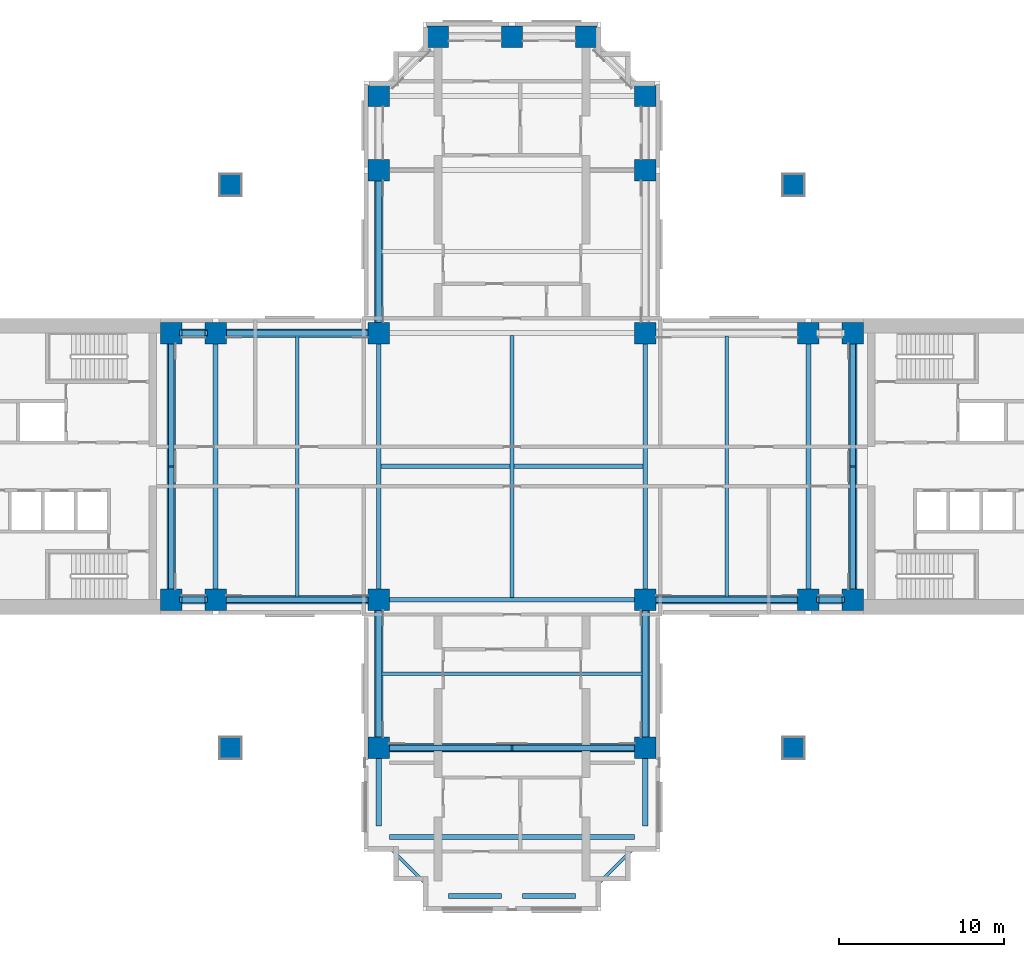
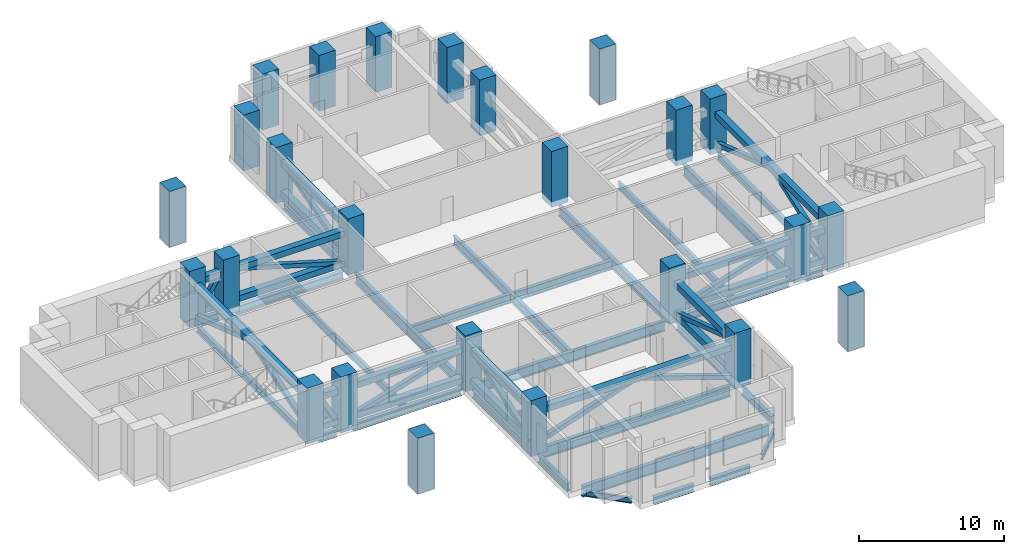
# One storey, part 1 of 10: 36 members, 30 beams, 25 columns.
"""IFC4 building model written with IfcOpenShell, lengths in metres."""

from ifc_helpers import new_model, si_unit, direction, frame, origin, origin_2d, place, context, subcontext, project, spatial, rectangle, hollow_rectangle, i_section, extrude, material, material_profile, profile_set, type_object, element, save


model = new_model("IFC4")

# Units and contexts
model_context = context("Model", 3, precision=1e-05, world=origin(), true_north=direction((0.0, 1.0)))
body_context = subcontext(model_context, "Body", "Model", "MODEL_VIEW")
ifc_project = project(units=[si_unit("LENGTHUNIT", "METRE"), si_unit("AREAUNIT", "SQUARE_METRE"), si_unit("VOLUMEUNIT", "CUBIC_METRE"), si_unit("PLANEANGLEUNIT", "RADIAN"), si_unit("MASSUNIT", "GRAM", prefix="KILO")], contexts=[model_context])

# Site, building, storey
site_placement = place(None, origin())
site = spatial("IfcSite", under=ifc_project, at=site_placement, CompositionType="ELEMENT")
building_placement = place(site_placement, origin())
building = spatial("IfcBuilding", under=site, at=building_placement, Name="Perihelion Cross Residences", CompositionType="ELEMENT")
storey_placement = place(building_placement, frame((0.0, 0.0, 97.89990234375)))
storey = spatial("IfcBuildingStorey", under=building, at=storey_placement, Name="L22", CompositionType="ELEMENT", Elevation=97.89990234375)

# Columns
ifc_material_1 = material(Name="Concrete C70/85", Category="concrete")
ifc_material_profile_1 = material_profile(ifc_material_1, rectangle(XDim=1.300048828125, YDim=1.300048828125, at=origin_2d()), Name="RC 1300x1300")
ifc_profile_set_1 = profile_set([ifc_material_profile_1], Name="Concrete C70/85")
column_type = type_object("IfcColumnType", Name="Reinforced concrete column 1300x1300 C70/85", PredefinedType="COLUMN", material=ifc_profile_set_1)
for number, where, z_axis, x_axis, name in (
    (1, (-20.699951171875, -8.10009765625, -0.449951171875), (0.0, 0.0, 1.0), (1.0, 0.0, 0.0), "Column C017 L22 no. 1"),
    (2, (-20.699951171875, 8.10009765625, -0.449951171875), (0.0, 0.0, 1.0), (1.0, 0.0, 0.0), "Column C010 L22 no. 1"),
    (3, (-18.0, -8.10009765625, -0.449951171875), (0.0, 0.0, 1.0), (1.0, 0.0, 0.0), "Column C018 L22 no. 1"),
    (4, (-18.0, 8.10009765625, -0.449951171875), (0.0, 0.0, 1.0), (1.0, 0.0, 0.0), "Column C011 L22 no. 1"),
    (5, (-8.10009765625, -17.10009765625, -0.449951171875), (0.0, 0.0, 1.0), (1.0, 0.0, 0.0), "Column C031 L22 no. 1"),
    (6, (-8.10009765625, -8.10009765625, -0.449951171875), (0.0, 0.0, 1.0), (1.0, 0.0, 0.0), "Column C019 L22 no. 1"),
    (7, (-8.10009765625, 8.10009765625, -0.449951171875), (0.0, 0.0, 1.0), (1.0, 0.0, 0.0), "Column C012 L22 no. 1"),
    (8, (-8.10009765625, 18.0, -0.449951171875), (0.0, 0.0, 1.0), (1.0, 0.0, 0.0), "Column C006 L22 no. 1"),
    (9, (-8.10009765625, 22.5, -0.449951171875), (0.0, 0.0, 1.0), (1.0, 0.0, 0.0), "Column C004 L22 no. 1"),
    (10, (-4.5, 26.10009765625, -0.449951171875), (0.0, 0.0, 1.0), (1.0, 0.0, 0.0), "Column C001 L22 no. 1"),
    (11, (0.0, 26.10009765625, -0.449951171875), (0.0, 0.0, 1.0), (1.0, 0.0, 0.0), "Column C002 L22 no. 1"),
    (12, (4.5, 26.10009765625, -0.449951171875), (0.0, 0.0, 1.0), (1.0, 0.0, 0.0), "Column C003 L22 no. 1"),
    (13, (8.10009765625, -17.10009765625, -0.449951171875), (0.0, 0.0, 1.0), (1.0, 0.0, 0.0), "Column C035 L22 no. 1"),
    (14, (8.10009765625, -8.10009765625, -0.449951171875), (0.0, 0.0, 1.0), (1.0, 0.0, 0.0), "Column C020 L22 no. 1"),
    (15, (8.10009765625, 8.10009765625, -0.449951171875), (0.0, 0.0, 1.0), (1.0, 0.0, 0.0), "Column C014 L22 no. 1"),
    (16, (8.10009765625, 18.0, -0.449951171875), (0.0, 0.0, 1.0), (1.0, 0.0, 0.0), "Column C007 L22 no. 1"),
    (17, (8.10009765625, 22.5, -0.449951171875), (0.0, 0.0, 1.0), (1.0, 0.0, 0.0), "Column C005 L22 no. 1"),
    (18, (18.0, -8.10009765625, -0.449951171875), (0.0, 0.0, 1.0), (1.0, 0.0, 0.0), "Column C021 L22 no. 1"),
    (19, (18.0, 8.10009765625, -0.449951171875), (0.0, 0.0, 1.0), (1.0, 0.0, 0.0), "Column C015 L22 no. 1"),
    (20, (20.699951171875, -8.10009765625, -0.449951171875), (0.0, 0.0, 1.0), (1.0, 0.0, 0.0), "Column C022 L22 no. 1"),
    (21, (20.699951171875, 8.10009765625, -0.449951171875), (0.0, 0.0, 1.0), (1.0, 0.0, 0.0), "Column C016 L22 no. 1"),
    (22, (17.10009765625, 17.10009765625, -0.449951171875), (0.0, 0.0, 1.0), (1.0, 0.0, 0.0), "Column C009 L22 no. 1"),
    (23, (-17.10009765625, 17.10009765625, -0.449951171875), (0.0, 0.0, 1.0), (1.0, 0.0, 0.0), "Column C008 L22 no. 1"),
    (24, (-17.10009765625, -17.10009765625, -0.449951171875), (0.0, 0.0, 1.0), (1.0, 0.0, 0.0), "Column C030 L22 no. 1"),
    (25, (17.10009765625, -17.10009765625, -0.449951171875), (0.0, 0.0, 1.0), (1.0, 0.0, 0.0), "Column C036 L22 no. 1"),
):
    element("IfcColumn", number, at=place(storey_placement, frame(where, z_axis=z_axis, x_axis=x_axis)), inside=storey, type_object=column_type, Name=name, PredefinedType="COLUMN", context=body_context, shape_type="SweptSolid", body=[
        extrude(rectangle(XDim=1.300048828125, YDim=1.300048828125, at=origin_2d()), origin(), (0.0, 0.0, 1.0), 4.699951171875),
    ])

# Members
ifc_material_2 = material(Name="Steel S355", Category="steel")
ifc_material_profile_2 = material_profile(ifc_material_2, hollow_rectangle(XDim=0.508056640625, YDim=0.508056640625, WallThickness=0.022216796875, at=origin_2d()), Name="HSS508x508x22.2")
ifc_profile_set_2 = profile_set([ifc_material_profile_2], Name="Steel S355")
member_type_1 = type_object("IfcMemberType", Name="Belt truss chord HSS508x508x22.2", PredefinedType="CHORD", material=ifc_profile_set_2)
for number, where, z_axis, x_axis, name in (
    (26, (-8.10009765625, 17.35009765625, 2.796142578125), (0.0, -1.0, 0.0), (1.0, 0.0, 0.0), "Belt truss BT1 L22 top no. 8"),
    (27, (-8.10009765625, 17.35009765625, 0.254150390625), (0.0, -1.0, 0.0), (1.0, 0.0, 0.0), "Belt truss BT1 L22 bottom no. 6"),
    (28, (-8.75, 8.10009765625, 2.796142578125), (-1.0, 0.0, 0.0), (0.0, -1.0, 0.0), "Belt truss BT1 L22 top no. 10"),
    (29, (-8.75, 8.10009765625, 0.254150390625), (-1.0, 0.0, 0.0), (0.0, -1.0, 0.0), "Belt truss BT1 L22 bottom no. 8"),
):
    element("IfcMember", number, at=place(storey_placement, frame(where, z_axis=z_axis, x_axis=x_axis)), inside=storey, type_object=member_type_1, Name=name, PredefinedType="CHORD", context=body_context, shape_type="SweptSolid", body=[
        extrude(hollow_rectangle(XDim=0.508056640625, YDim=0.508056640625, WallThickness=0.022216796875, at=origin_2d()), origin(), (0.0, 0.0, 1.0), 8.60009765625),
    ])
for number, where, z_axis, x_axis, name in (
    (30, (-18.64990234375, 8.10009765625, 2.796142578125), (-1.0, 0.0, 0.0), (0.0, -1.0, 0.0), "Belt truss BT1 L22 top no. 2"),
    (31, (-18.64990234375, 8.10009765625, 0.254150390625), (-1.0, 0.0, 0.0), (0.0, -1.0, 0.0), "Belt truss BT1 L22 bottom no. 2"),
):
    element("IfcMember", number, at=place(storey_placement, frame(where, z_axis=z_axis, x_axis=x_axis)), inside=storey, type_object=member_type_1, Name=name, PredefinedType="CHORD", context=body_context, shape_type="SweptSolid", body=[
        extrude(hollow_rectangle(XDim=0.508056640625, YDim=0.508056640625, WallThickness=0.022216796875, at=origin_2d()), origin(), (0.0, 0.0, 1.0), 1.400146484375),
    ])
member_1_placement = place(storey_placement, frame((-20.699951171875, 7.449951171875, 2.796142578125), z_axis=(0.0, -1.0, 0.0), x_axis=(1.0, 0.0, 0.0)))
element("IfcMember", 32, at=member_1_placement, inside=storey, type_object=member_type_1, Name="Belt truss BT1 L22 top no. 4", PredefinedType="CHORD", context=body_context, shape_type="SweptSolid", body=[
    extrude(hollow_rectangle(XDim=0.508056640625, YDim=0.508056640625, WallThickness=0.022216796875, at=origin_2d()), origin(), (0.0, 0.0, 1.0), 14.89990234375),
])
for number, where, z_axis, x_axis, name in (
    (33, (-20.050048828125, -8.10009765625, 2.796142578125), (1.0, 0.0, 0.0), (0.0, 1.0, 0.0), "Belt truss BT1 L22 top no. 3"),
    (34, (-20.050048828125, -8.10009765625, 0.254150390625), (1.0, 0.0, 0.0), (0.0, 1.0, 0.0), "Belt truss BT1 L22 bottom no. 3"),
):
    element("IfcMember", number, at=place(storey_placement, frame(where, z_axis=z_axis, x_axis=x_axis)), inside=storey, type_object=member_type_1, Name=name, PredefinedType="CHORD", context=body_context, shape_type="SweptSolid", body=[
        extrude(hollow_rectangle(XDim=0.508056640625, YDim=0.508056640625, WallThickness=0.022216796875, at=origin_2d()), origin(), (0.0, 0.0, 1.0), 1.400146484375),
    ])
for number, where, z_axis, x_axis, name in (
    (35, (-17.35009765625, -8.10009765625, 2.796142578125), (1.0, 0.0, 0.0), (0.0, 1.0, 0.0), "Belt truss BT1 L22 top no. 1"),
    (36, (-17.35009765625, -8.10009765625, 0.254150390625), (1.0, 0.0, 0.0), (0.0, 1.0, 0.0), "Belt truss BT1 L22 bottom no. 1"),
):
    element("IfcMember", number, at=place(storey_placement, frame(where, z_axis=z_axis, x_axis=x_axis)), inside=storey, type_object=member_type_1, Name=name, PredefinedType="CHORD", context=body_context, shape_type="SweptSolid", body=[
        extrude(hollow_rectangle(XDim=0.508056640625, YDim=0.508056640625, WallThickness=0.022216796875, at=origin_2d()), origin(), (0.0, 0.0, 1.0), 8.60009765625),
    ])
for number, where, z_axis, x_axis, name in (
    (37, (-8.10009765625, -8.75, 2.796142578125), (0.0, -1.0, 0.0), (1.0, 0.0, 0.0), "Belt truss BT1 L22 top no. 7"),
    (38, (-8.10009765625, -8.75, 0.254150390625), (0.0, -1.0, 0.0), (1.0, 0.0, 0.0), "Belt truss BT1 L22 bottom no. 5"),
):
    element("IfcMember", number, at=place(storey_placement, frame(where, z_axis=z_axis, x_axis=x_axis)), inside=storey, type_object=member_type_1, Name=name, PredefinedType="CHORD", context=body_context, shape_type="SweptSolid", body=[
        extrude(hollow_rectangle(XDim=0.508056640625, YDim=0.508056640625, WallThickness=0.022216796875, at=origin_2d()), origin(), (0.0, 0.0, 1.0), 7.699951171875),
    ])
member_2_placement = place(storey_placement, frame((-7.449951171875, -17.10009765625, 2.796142578125), z_axis=(1.0, 0.0, 0.0), x_axis=(0.0, 1.0, 0.0)))
element("IfcMember", 39, at=member_2_placement, inside=storey, type_object=member_type_1, Name="Belt truss BT1 L22 top no. 6", PredefinedType="CHORD", context=body_context, shape_type="SweptSolid", body=[
    extrude(hollow_rectangle(XDim=0.508056640625, YDim=0.508056640625, WallThickness=0.022216796875, at=origin_2d()), origin(), (0.0, 0.0, 1.0), 14.89990234375),
])
for number, where, z_axis, x_axis, name in (
    (40, (8.10009765625, -16.449951171875, 2.796142578125), (0.0, 1.0, 0.0), (-1.0, 0.0, 0.0), "Belt truss BT1 L22 top no. 17"),
    (41, (8.10009765625, -16.449951171875, 0.254150390625), (0.0, 1.0, 0.0), (-1.0, 0.0, 0.0), "Belt truss BT1 L22 bottom no. 14"),
):
    element("IfcMember", number, at=place(storey_placement, frame(where, z_axis=z_axis, x_axis=x_axis)), inside=storey, type_object=member_type_1, Name=name, PredefinedType="CHORD", context=body_context, shape_type="SweptSolid", body=[
        extrude(hollow_rectangle(XDim=0.508056640625, YDim=0.508056640625, WallThickness=0.022216796875, at=origin_2d()), origin(), (0.0, 0.0, 1.0), 7.699951171875),
    ])
for number, where, z_axis, x_axis, name in (
    (42, (8.75, -8.10009765625, 2.796142578125), (1.0, 0.0, 0.0), (0.0, 1.0, 0.0), "Belt truss BT1 L22 top no. 18"),
    (43, (8.75, -8.10009765625, 0.254150390625), (1.0, 0.0, 0.0), (0.0, 1.0, 0.0), "Belt truss BT1 L22 bottom no. 15"),
):
    element("IfcMember", number, at=place(storey_placement, frame(where, z_axis=z_axis, x_axis=x_axis)), inside=storey, type_object=member_type_1, Name=name, PredefinedType="CHORD", context=body_context, shape_type="SweptSolid", body=[
        extrude(hollow_rectangle(XDim=0.508056640625, YDim=0.508056640625, WallThickness=0.022216796875, at=origin_2d()), origin(), (0.0, 0.0, 1.0), 8.60009765625),
    ])
for number, where, z_axis, x_axis, name in (
    (44, (18.64990234375, -8.10009765625, 2.796142578125), (1.0, 0.0, 0.0), (0.0, 1.0, 0.0), "Belt truss BT1 L22 top no. 12"),
    (45, (18.64990234375, -8.10009765625, 0.254150390625), (1.0, 0.0, 0.0), (0.0, 1.0, 0.0), "Belt truss BT1 L22 bottom no. 10"),
):
    element("IfcMember", number, at=place(storey_placement, frame(where, z_axis=z_axis, x_axis=x_axis)), inside=storey, type_object=member_type_1, Name=name, PredefinedType="CHORD", context=body_context, shape_type="SweptSolid", body=[
        extrude(hollow_rectangle(XDim=0.508056640625, YDim=0.508056640625, WallThickness=0.022216796875, at=origin_2d()), origin(), (0.0, 0.0, 1.0), 1.400146484375),
    ])
member_3_placement = place(storey_placement, frame((20.699951171875, -7.449951171875, 2.796142578125), z_axis=(0.0, 1.0, 0.0), x_axis=(-1.0, 0.0, 0.0)))
element("IfcMember", 46, at=member_3_placement, inside=storey, type_object=member_type_1, Name="Belt truss BT1 L22 top no. 14", PredefinedType="CHORD", context=body_context, shape_type="SweptSolid", body=[
    extrude(hollow_rectangle(XDim=0.508056640625, YDim=0.508056640625, WallThickness=0.022216796875, at=origin_2d()), origin(), (0.0, 0.0, 1.0), 14.89990234375),
])
ifc_material_3 = material(Name="Steel S355", Category="steel")
ifc_material_profile_3 = material_profile(ifc_material_3, hollow_rectangle(XDim=0.35595703125, YDim=0.35595703125, WallThickness=0.015869140625, at=origin_2d()), Name="HSS355.6x355.6x15.9")
ifc_profile_set_3 = profile_set([ifc_material_profile_3], Name="Steel S355")
member_type_2 = type_object("IfcMemberType", Name="Belt truss diagonal HSS355.6x355.6x15.9", PredefinedType="BRACE", material=ifc_profile_set_3)
for number, where, z_axis, x_axis, name in (
    (47, (-8.10009765625, 8.75, 0.254150390625), (0.0, 0.958985757642, 0.283454258462), (-1.0, 0.0, 0.0), "Belt truss BT2 L22 diagonal no. 6"),
    (48, (-8.75, 8.10009765625, 0.254150390625), (-0.958985757642, 0.0, 0.283454258462), (0.0, -1.0, 0.0), "Belt truss BT2 L22 diagonal no. 8"),
):
    element("IfcMember", number, at=place(storey_placement, frame(where, z_axis=z_axis, x_axis=x_axis)), inside=storey, type_object=member_type_2, Name=name, PredefinedType="BRACE", context=body_context, shape_type="SweptSolid", body=[
        extrude(hollow_rectangle(XDim=0.35595703125, YDim=0.35595703125, WallThickness=0.015869140625, at=origin_2d()), origin(), (0.0, 0.0, 1.0), 8.968017578125),
    ])
member_4_placement = place(storey_placement, frame((-20.050048828125, 8.10009765625, 0.254150390625), z_axis=(0.482461195839, 0.0, 0.875917344565), x_axis=(0.0, 1.0, 0.0)))
element("IfcMember", 49, at=member_4_placement, inside=storey, type_object=member_type_2, Name="Belt truss BT2 L22 diagonal no. 2", PredefinedType="BRACE", context=body_context, shape_type="SweptSolid", body=[
    extrude(hollow_rectangle(XDim=0.35595703125, YDim=0.35595703125, WallThickness=0.015869140625, at=origin_2d()), origin(), (0.0, 0.0, 1.0), 2.902099609375),
])
for number, where, z_axis, x_axis, name in (
    (50, (-20.699951171875, 7.449951171875, 0.254150390625), (0.0, -0.946423395146, 0.32292840866), (1.0, 0.0, 0.0), "Belt truss BT2 L22 diagonal A no. 1"),
    (51, (-20.699951171875, -7.449951171875, 0.254150390625), (0.0, 0.946423395146, 0.32292840866), (-1.0, 0.0, 0.0), "Belt truss BT2 L22 diagonal B no. 1"),
):
    element("IfcMember", number, at=place(storey_placement, frame(where, z_axis=z_axis, x_axis=x_axis)), inside=storey, type_object=member_type_2, Name=name, PredefinedType="BRACE", context=body_context, shape_type="SweptSolid", body=[
        extrude(hollow_rectangle(XDim=0.35595703125, YDim=0.35595703125, WallThickness=0.015869140625, at=origin_2d()), origin(), (0.0, 0.0, 1.0), 7.87158203125),
    ])
member_5_placement = place(storey_placement, frame((-18.64990234375, -8.10009765625, 0.254150390625), z_axis=(-0.482461195839, 0.0, 0.875917344565), x_axis=(0.0, -1.0, 0.0)))
element("IfcMember", 52, at=member_5_placement, inside=storey, type_object=member_type_2, Name="Belt truss BT2 L22 diagonal no. 3", PredefinedType="BRACE", context=body_context, shape_type="SweptSolid", body=[
    extrude(hollow_rectangle(XDim=0.35595703125, YDim=0.35595703125, WallThickness=0.015869140625, at=origin_2d()), origin(), (0.0, 0.0, 1.0), 2.902099609375),
])
member_6_placement = place(storey_placement, frame((-17.35009765625, -8.10009765625, 0.254150390625), z_axis=(0.958985757642, 0.0, 0.283454258462), x_axis=(0.0, 1.0, 0.0)))
element("IfcMember", 53, at=member_6_placement, inside=storey, type_object=member_type_2, Name="Belt truss BT2 L22 diagonal no. 1", PredefinedType="BRACE", context=body_context, shape_type="SweptSolid", body=[
    extrude(hollow_rectangle(XDim=0.35595703125, YDim=0.35595703125, WallThickness=0.015869140625, at=origin_2d()), origin(), (0.0, 0.0, 1.0), 8.968017578125),
])
member_7_placement = place(storey_placement, frame((-8.10009765625, -16.449951171875, 0.254150390625), z_axis=(0.0, 0.949591637468, 0.313489588424), x_axis=(-1.0, 0.0, 0.0)))
element("IfcMember", 54, at=member_7_placement, inside=storey, type_object=member_type_2, Name="Belt truss BT2 L22 diagonal no. 5", PredefinedType="BRACE", context=body_context, shape_type="SweptSolid", body=[
    extrude(hollow_rectangle(XDim=0.35595703125, YDim=0.35595703125, WallThickness=0.015869140625, at=origin_2d()), origin(), (0.0, 0.0, 1.0), 8.108642578125),
])
for number, where, z_axis, x_axis, name in (
    (55, (-7.449951171875, -17.10009765625, 0.254150390625), (0.946423395146, 0.0, 0.32292840866), (0.0, 1.0, 0.0), "Belt truss BT2 L22 diagonal A no. 2"),
    (56, (7.449951171875, -17.10009765625, 0.254150390625), (-0.946423395146, 0.0, 0.32292840866), (0.0, -1.0, 0.0), "Belt truss BT2 L22 diagonal B no. 2"),
):
    element("IfcMember", number, at=place(storey_placement, frame(where, z_axis=z_axis, x_axis=x_axis)), inside=storey, type_object=member_type_2, Name=name, PredefinedType="BRACE", context=body_context, shape_type="SweptSolid", body=[
        extrude(hollow_rectangle(XDim=0.35595703125, YDim=0.35595703125, WallThickness=0.015869140625, at=origin_2d()), origin(), (0.0, 0.0, 1.0), 7.87158203125),
    ])
member_8_placement = place(storey_placement, frame((8.10009765625, -8.75, 0.254150390625), z_axis=(0.0, -0.949591637468, 0.313489588424), x_axis=(1.0, 0.0, 0.0)))
element("IfcMember", 57, at=member_8_placement, inside=storey, type_object=member_type_2, Name="Belt truss BT2 L22 diagonal no. 14", PredefinedType="BRACE", context=body_context, shape_type="SweptSolid", body=[
    extrude(hollow_rectangle(XDim=0.35595703125, YDim=0.35595703125, WallThickness=0.015869140625, at=origin_2d()), origin(), (0.0, 0.0, 1.0), 8.108642578125),
])
member_9_placement = place(storey_placement, frame((8.75, -8.10009765625, 0.254150390625), z_axis=(0.958985757642, 0.0, 0.283454258462), x_axis=(0.0, 1.0, 0.0)))
element("IfcMember", 58, at=member_9_placement, inside=storey, type_object=member_type_2, Name="Belt truss BT2 L22 diagonal no. 15", PredefinedType="BRACE", context=body_context, shape_type="SweptSolid", body=[
    extrude(hollow_rectangle(XDim=0.35595703125, YDim=0.35595703125, WallThickness=0.015869140625, at=origin_2d()), origin(), (0.0, 0.0, 1.0), 8.968017578125),
])
member_10_placement = place(storey_placement, frame((20.050048828125, -8.10009765625, 0.254150390625), z_axis=(-0.482461195839, 0.0, 0.875917344565), x_axis=(0.0, -1.0, 0.0)))
element("IfcMember", 59, at=member_10_placement, inside=storey, type_object=member_type_2, Name="Belt truss BT2 L22 diagonal no. 10", PredefinedType="BRACE", context=body_context, shape_type="SweptSolid", body=[
    extrude(hollow_rectangle(XDim=0.35595703125, YDim=0.35595703125, WallThickness=0.015869140625, at=origin_2d()), origin(), (0.0, 0.0, 1.0), 2.902099609375),
])
for number, where, z_axis, x_axis, name in (
    (60, (20.699951171875, -7.449951171875, 0.254150390625), (0.0, 0.946423395146, 0.32292840866), (-1.0, 0.0, 0.0), "Belt truss BT2 L22 diagonal A no. 3"),
    (61, (20.699951171875, 7.449951171875, 0.254150390625), (0.0, -0.946423395146, 0.32292840866), (1.0, 0.0, 0.0), "Belt truss BT2 L22 diagonal B no. 3"),
):
    element("IfcMember", number, at=place(storey_placement, frame(where, z_axis=z_axis, x_axis=x_axis)), inside=storey, type_object=member_type_2, Name=name, PredefinedType="BRACE", context=body_context, shape_type="SweptSolid", body=[
        extrude(hollow_rectangle(XDim=0.35595703125, YDim=0.35595703125, WallThickness=0.015869140625, at=origin_2d()), origin(), (0.0, 0.0, 1.0), 7.87158203125),
    ])

# Beams
ifc_material_4 = material(Name="Steel S355", Category="steel")
ifc_material_profile_4 = material_profile(ifc_material_4, i_section(OverallWidth=0.31201171875, OverallDepth=0.5439453125, WebThickness=0.0126953125, FlangeThickness=0.020263671875, at=origin_2d()), Name="W530x150")
ifc_profile_set_4 = profile_set([ifc_material_profile_4], Name="Steel S355")
beam_type_1 = type_object("IfcBeamType", Name="Core edge beam W530x150", PredefinedType="BEAM", material=ifc_profile_set_4)
for number, where, z_axis, x_axis, name in (
    (62, (20.699951171875, -7.449951171875, -0.721923828125), (0.0, 1.0, 0.0), (-1.0, 0.0, 0.0), "Core edge beam TB4 L22 no. 2"),
    (63, (-20.699951171875, -7.449951171875, -0.721923828125), (0.0, 1.0, 0.0), (-1.0, 0.0, 0.0), "Core edge beam TB4 L22 no. 1"),
):
    element("IfcBeam", number, at=place(storey_placement, frame(where, z_axis=z_axis, x_axis=x_axis)), inside=storey, type_object=beam_type_1, Name=name, PredefinedType="BEAM", context=body_context, shape_type="SweptSolid", body=[
        extrude(i_section(OverallWidth=0.31201171875, OverallDepth=0.5439453125, WebThickness=0.0126953125, FlangeThickness=0.020263671875, at=origin_2d()), origin(), (0.0, 0.0, 1.0), 14.89990234375),
    ])
ifc_material_5 = material(Name="Steel S355", Category="steel")
ifc_material_profile_5 = material_profile(ifc_material_5, i_section(OverallWidth=0.324951171875, OverallDepth=0.616943359375, WebThickness=0.013916015625, FlangeThickness=0.021484375, at=origin_2d()), Name="W610x174")
ifc_profile_set_5 = profile_set([ifc_material_profile_5], Name="Steel S355")
beam_type_2 = type_object("IfcBeamType", Name="Edge beam W610x174", PredefinedType="SPANDREL", material=ifc_profile_set_5)
for number, where, z_axis, x_axis, name in (
    (64, (-8.10009765625, 17.35009765625, -0.75830078125), (0.0, -1.0, 0.0), (1.0, 0.0, 0.0), "Edge beam SB2 L22 no. 7"),
    (65, (-8.75, 8.10009765625, -0.75830078125), (-1.0, 0.0, 0.0), (0.0, -1.0, 0.0), "Edge beam SB2 L22 no. 9"),
):
    element("IfcBeam", number, at=place(storey_placement, frame(where, z_axis=z_axis, x_axis=x_axis)), inside=storey, type_object=beam_type_2, Name=name, PredefinedType="SPANDREL", context=body_context, shape_type="SweptSolid", body=[
        extrude(i_section(OverallWidth=0.324951171875, OverallDepth=0.616943359375, WebThickness=0.013916015625, FlangeThickness=0.021484375, at=origin_2d()), origin(), (0.0, 0.0, 1.0), 8.60009765625),
    ])
for number, where, z_axis, x_axis, name in (
    (66, (-18.64990234375, 8.10009765625, -0.75830078125), (-1.0, 0.0, 0.0), (0.0, -1.0, 0.0), "Edge beam SB2 L22 no. 2"),
    (67, (-20.050048828125, -8.10009765625, -0.75830078125), (1.0, 0.0, 0.0), (0.0, 1.0, 0.0), "Edge beam SB2 L22 no. 3"),
):
    element("IfcBeam", number, at=place(storey_placement, frame(where, z_axis=z_axis, x_axis=x_axis)), inside=storey, type_object=beam_type_2, Name=name, PredefinedType="SPANDREL", context=body_context, shape_type="SweptSolid", body=[
        extrude(i_section(OverallWidth=0.324951171875, OverallDepth=0.616943359375, WebThickness=0.013916015625, FlangeThickness=0.021484375, at=origin_2d()), origin(), (0.0, 0.0, 1.0), 1.400146484375),
    ])
beam_1_placement = place(storey_placement, frame((-17.35009765625, -8.10009765625, -0.75830078125), z_axis=(1.0, 0.0, 0.0), x_axis=(0.0, 1.0, 0.0)))
element("IfcBeam", 68, at=beam_1_placement, inside=storey, type_object=beam_type_2, Name="Edge beam SB2 L22 no. 1", PredefinedType="SPANDREL", context=body_context, shape_type="SweptSolid", body=[
    extrude(i_section(OverallWidth=0.324951171875, OverallDepth=0.616943359375, WebThickness=0.013916015625, FlangeThickness=0.021484375, at=origin_2d()), origin(), (0.0, 0.0, 1.0), 8.60009765625),
])
beam_2_placement = place(storey_placement, frame((-8.10009765625, -8.75, -0.75830078125), z_axis=(0.0, -1.0, 0.0), x_axis=(1.0, 0.0, 0.0)))
element("IfcBeam", 69, at=beam_2_placement, inside=storey, type_object=beam_type_2, Name="Edge beam SB2 L22 no. 6", PredefinedType="SPANDREL", context=body_context, shape_type="SweptSolid", body=[
    extrude(i_section(OverallWidth=0.324951171875, OverallDepth=0.616943359375, WebThickness=0.013916015625, FlangeThickness=0.021484375, at=origin_2d()), origin(), (0.0, 0.0, 1.0), 7.699951171875),
])
beam_3_placement = place(storey_placement, frame((-8.10009765625, -17.75, -0.75830078125), z_axis=(0.0, -1.0, 0.0), x_axis=(1.0, 0.0, 0.0)))
element("IfcBeam", 70, at=beam_3_placement, inside=storey, type_object=beam_type_2, Name="Edge beam SB2 L22 no. 5", PredefinedType="SPANDREL", context=body_context, shape_type="SweptSolid", body=[
    extrude(i_section(OverallWidth=0.324951171875, OverallDepth=0.616943359375, WebThickness=0.013916015625, FlangeThickness=0.021484375, at=origin_2d()), origin(), (0.0, 0.0, 1.0), 4.10009765625),
])
for number, where, z_axis, x_axis, name in (
    (71, (-3.85009765625, -26.10009765625, -0.75830078125), (1.0, 0.0, 0.0), (0.0, 1.0, 0.0), "Edge beam SB2 L22 no. 4"),
    (72, (0.64990234375, -26.10009765625, -0.75830078125), (1.0, 0.0, 0.0), (0.0, 1.0, 0.0), "Edge beam SB2 L22 no. 10"),
):
    element("IfcBeam", number, at=place(storey_placement, frame(where, z_axis=z_axis, x_axis=x_axis)), inside=storey, type_object=beam_type_2, Name=name, PredefinedType="SPANDREL", context=body_context, shape_type="SweptSolid", body=[
        extrude(i_section(OverallWidth=0.324951171875, OverallDepth=0.616943359375, WebThickness=0.013916015625, FlangeThickness=0.021484375, at=origin_2d()), origin(), (0.0, 0.0, 1.0), 3.2001953125),
    ])
beam_4_placement = place(storey_placement, frame((8.10009765625, -21.85009765625, -0.75830078125), z_axis=(0.0, 1.0, 0.0), x_axis=(-1.0, 0.0, 0.0)))
element("IfcBeam", 73, at=beam_4_placement, inside=storey, type_object=beam_type_2, Name="Edge beam SB2 L22 no. 17", PredefinedType="SPANDREL", context=body_context, shape_type="SweptSolid", body=[
    extrude(i_section(OverallWidth=0.324951171875, OverallDepth=0.616943359375, WebThickness=0.013916015625, FlangeThickness=0.021484375, at=origin_2d()), origin(), (0.0, 0.0, 1.0), 4.10009765625),
])
beam_5_placement = place(storey_placement, frame((8.10009765625, -16.449951171875, -0.75830078125), z_axis=(0.0, 1.0, 0.0), x_axis=(-1.0, 0.0, 0.0)))
element("IfcBeam", 74, at=beam_5_placement, inside=storey, type_object=beam_type_2, Name="Edge beam SB2 L22 no. 16", PredefinedType="SPANDREL", context=body_context, shape_type="SweptSolid", body=[
    extrude(i_section(OverallWidth=0.324951171875, OverallDepth=0.616943359375, WebThickness=0.013916015625, FlangeThickness=0.021484375, at=origin_2d()), origin(), (0.0, 0.0, 1.0), 7.699951171875),
])
beam_6_placement = place(storey_placement, frame((8.75, -8.10009765625, -0.75830078125), z_axis=(1.0, 0.0, 0.0), x_axis=(0.0, 1.0, 0.0)))
element("IfcBeam", 75, at=beam_6_placement, inside=storey, type_object=beam_type_2, Name="Edge beam SB2 L22 no. 18", PredefinedType="SPANDREL", context=body_context, shape_type="SweptSolid", body=[
    extrude(i_section(OverallWidth=0.324951171875, OverallDepth=0.616943359375, WebThickness=0.013916015625, FlangeThickness=0.021484375, at=origin_2d()), origin(), (0.0, 0.0, 1.0), 8.60009765625),
])
beam_7_placement = place(storey_placement, frame((18.64990234375, -8.10009765625, -0.75830078125), z_axis=(1.0, 0.0, 0.0), x_axis=(0.0, 1.0, 0.0)))
element("IfcBeam", 76, at=beam_7_placement, inside=storey, type_object=beam_type_2, Name="Edge beam SB2 L22 no. 12", PredefinedType="SPANDREL", context=body_context, shape_type="SweptSolid", body=[
    extrude(i_section(OverallWidth=0.324951171875, OverallDepth=0.616943359375, WebThickness=0.013916015625, FlangeThickness=0.021484375, at=origin_2d()), origin(), (0.0, 0.0, 1.0), 1.400146484375),
])
ifc_material_6 = material(Name="Steel S355", Category="steel")
ifc_material_profile_6 = material_profile(ifc_material_6, i_section(OverallWidth=0.304931640625, OverallDepth=0.904052734375, WebThickness=0.01513671875, FlangeThickness=0.02001953125, at=origin_2d()), Name="W920x201")
ifc_profile_set_6 = profile_set([ifc_material_profile_6], Name="Steel S355")
beam_type_3 = type_object("IfcBeamType", Name="Floor girder W920x201", PredefinedType="BEAM", material=ifc_profile_set_6)
for number, where, z_axis, x_axis, name in (
    (77, (18.0, -7.449951171875, -0.90185546875), (0.0, 1.0, 0.0), (-1.0, 0.0, 0.0), "Girder G2 L22 no. 2"),
    (78, (-7.449951171875, -17.10009765625, -0.90185546875), (1.0, 0.0, 0.0), (0.0, 1.0, 0.0), "Girder G2 L22 no. 3"),
    (79, (-7.449951171875, -22.5, -0.90185546875), (1.0, 0.0, 0.0), (0.0, 1.0, 0.0), "Girder G2 L22 no. 4"),
    (80, (-18.0, -7.449951171875, -0.90185546875), (0.0, 1.0, 0.0), (-1.0, 0.0, 0.0), "Girder G2 L22 no. 1"),
):
    element("IfcBeam", number, at=place(storey_placement, frame(where, z_axis=z_axis, x_axis=x_axis)), inside=storey, type_object=beam_type_3, Name=name, PredefinedType="BEAM", context=body_context, shape_type="SweptSolid", body=[
        extrude(i_section(OverallWidth=0.304931640625, OverallDepth=0.904052734375, WebThickness=0.01513671875, FlangeThickness=0.02001953125, at=origin_2d()), origin(), (0.0, 0.0, 1.0), 14.89990234375),
    ])
ifc_material_7 = material(Name="Steel S355", Category="steel")
ifc_material_profile_7 = material_profile(ifc_material_7, i_section(OverallWidth=0.22900390625, OverallDepth=0.612060546875, WebThickness=0.011962890625, FlangeThickness=0.01953125, at=origin_2d()), Name="W610x125")
ifc_profile_set_7 = profile_set([ifc_material_profile_7], Name="Steel S355")
beam_type_4 = type_object("IfcBeamType", Name="Floor joist W610x125", PredefinedType="JOIST", material=ifc_profile_set_7)
for number, where, z_axis, x_axis, name in (
    (81, (13.050048828125, -7.9375, -0.755859375), (0.0, 1.0, 0.0), (-1.0, 0.0, 0.0), "Joist J3 L22 no. 2"),
    (82, (-7.9375, -12.60009765625, -0.755859375), (1.0, 0.0, 0.0), (0.0, 1.0, 0.0), "Joist J3 L22 no. 3"),
    (83, (-13.050048828125, -7.9375, -0.755859375), (0.0, 1.0, 0.0), (-1.0, 0.0, 0.0), "Joist J3 L22 no. 1"),
):
    element("IfcBeam", number, at=place(storey_placement, frame(where, z_axis=z_axis, x_axis=x_axis)), inside=storey, type_object=beam_type_4, Name=name, PredefinedType="JOIST", context=body_context, shape_type="SweptSolid", body=[
        extrude(i_section(OverallWidth=0.22900390625, OverallDepth=0.612060546875, WebThickness=0.011962890625, FlangeThickness=0.01953125, at=origin_2d()), origin(), (0.0, 0.0, 1.0), 15.875),
    ])
ifc_material_8 = material(Name="Steel S355", Category="steel")
ifc_material_profile_8 = material_profile(ifc_material_8, i_section(OverallWidth=0.26708984375, OverallDepth=0.77001953125, WebThickness=0.015625, FlangeThickness=0.025390625, at=origin_2d()), Name="W760x196")
ifc_profile_set_8 = profile_set([ifc_material_profile_8], Name="Steel S355")
beam_type_5 = type_object("IfcBeamType", Name="Hub cross beam W760x196", PredefinedType="BEAM", material=ifc_profile_set_8)
beam_8_placement = place(storey_placement, frame((0.0, -7.9541015625, -0.8349609375), z_axis=(0.0, 1.0, 0.0), x_axis=(-1.0, 0.0, 0.0)))
element("IfcBeam", 84, at=beam_8_placement, inside=storey, type_object=beam_type_5, Name="Hub cross beam XB2 L22 no. 1", PredefinedType="BEAM", context=body_context, shape_type="SweptSolid", body=[
    extrude(i_section(OverallWidth=0.26708984375, OverallDepth=0.77001953125, WebThickness=0.015625, FlangeThickness=0.025390625, at=origin_2d()), origin(), (0.0, 0.0, 1.0), 15.908203125),
])
for number, where, z_axis, x_axis, name in (
    (85, (-7.9541015625, 0.0, -0.8349609375), (1.0, 0.0, 0.0), (0.0, 1.0, 0.0), "Hub cross beam XB2 L22 1 no. 1"),
    (86, (0.133544921875, 0.0, -0.8349609375), (1.0, 0.0, 0.0), (0.0, 1.0, 0.0), "Hub cross beam XB2 L22 2 no. 1"),
):
    element("IfcBeam", number, at=place(storey_placement, frame(where, z_axis=z_axis, x_axis=x_axis)), inside=storey, type_object=beam_type_5, Name=name, PredefinedType="BEAM", context=body_context, shape_type="SweptSolid", body=[
        extrude(i_section(OverallWidth=0.26708984375, OverallDepth=0.77001953125, WebThickness=0.015625, FlangeThickness=0.025390625, at=origin_2d()), origin(), (0.0, 0.0, 1.0), 7.820556640625),
    ])
ifc_material_9 = material(Name="Steel S355", Category="steel")
ifc_material_profile_9 = material_profile(ifc_material_9, i_section(OverallWidth=0.2919921875, OverallDepth=0.85888671875, WebThickness=0.01708984375, FlangeThickness=0.031005859375, at=origin_2d()), Name="W840x251")
ifc_profile_set_9 = profile_set([ifc_material_profile_9], Name="Steel S355")
beam_type_6 = type_object("IfcBeamType", Name="Hub ring girder W840x251", PredefinedType="BEAM", material=ifc_profile_set_9)
for number, where, z_axis, x_axis, name in (
    (87, (-7.449951171875, -8.10009765625, -0.87939453125), (1.0, 0.0, 0.0), (0.0, 1.0, 0.0), "Hub ring girder RG2 L22 no. 1"),
    (88, (8.10009765625, -7.449951171875, -0.87939453125), (0.0, 1.0, 0.0), (-1.0, 0.0, 0.0), "Hub ring girder RG2 L22 no. 3"),
    (89, (-8.10009765625, 7.449951171875, -0.87939453125), (0.0, -1.0, 0.0), (1.0, 0.0, 0.0), "Hub ring girder RG2 L22 no. 2"),
):
    element("IfcBeam", number, at=place(storey_placement, frame(where, z_axis=z_axis, x_axis=x_axis)), inside=storey, type_object=beam_type_6, Name=name, PredefinedType="BEAM", context=body_context, shape_type="SweptSolid", body=[
        extrude(i_section(OverallWidth=0.2919921875, OverallDepth=0.85888671875, WebThickness=0.01708984375, FlangeThickness=0.031005859375, at=origin_2d()), origin(), (0.0, 0.0, 1.0), 14.89990234375),
    ])
ifc_material_10 = material(Name="Steel S355", Category="steel")
ifc_material_profile_10 = material_profile(ifc_material_10, i_section(OverallWidth=0.194091796875, OverallDepth=0.469970703125, WebThickness=0.0126953125, FlangeThickness=0.0205078125, at=origin_2d()), Name="W460x106")
ifc_profile_set_10 = profile_set([ifc_material_profile_10], Name="Steel S355")
beam_type_7 = type_object("IfcBeamType", Name="Serration edge beam W460x106", PredefinedType="BEAM", material=ifc_profile_set_10)
for number, where, z_axis, x_axis, name in (
    (90, (5.14990234375, -25.449951171875, -0.684814453125), (0.707106781187, 0.707106781187, 0.0), (-0.707106781187, 0.707106781187, 0.0), "Serration edge beam EB2 L22 no. 3"),
    (91, (-7.449951171875, -23.14990234375, -0.684814453125), (0.707106781187, -0.707106781187, 0.0), (0.707106781187, 0.707106781187, 0.0), "Serration edge beam EB2 L22 no. 2"),
):
    element("IfcBeam", number, at=place(storey_placement, frame(where, z_axis=z_axis, x_axis=x_axis)), inside=storey, type_object=beam_type_7, Name=name, PredefinedType="BEAM", context=body_context, shape_type="SweptSolid", body=[
        extrude(i_section(OverallWidth=0.194091796875, OverallDepth=0.469970703125, WebThickness=0.0126953125, FlangeThickness=0.0205078125, at=origin_2d()), origin(), (0.0, 0.0, 1.0), 3.252685546875),
    ])

save(model, "model.ifc")
